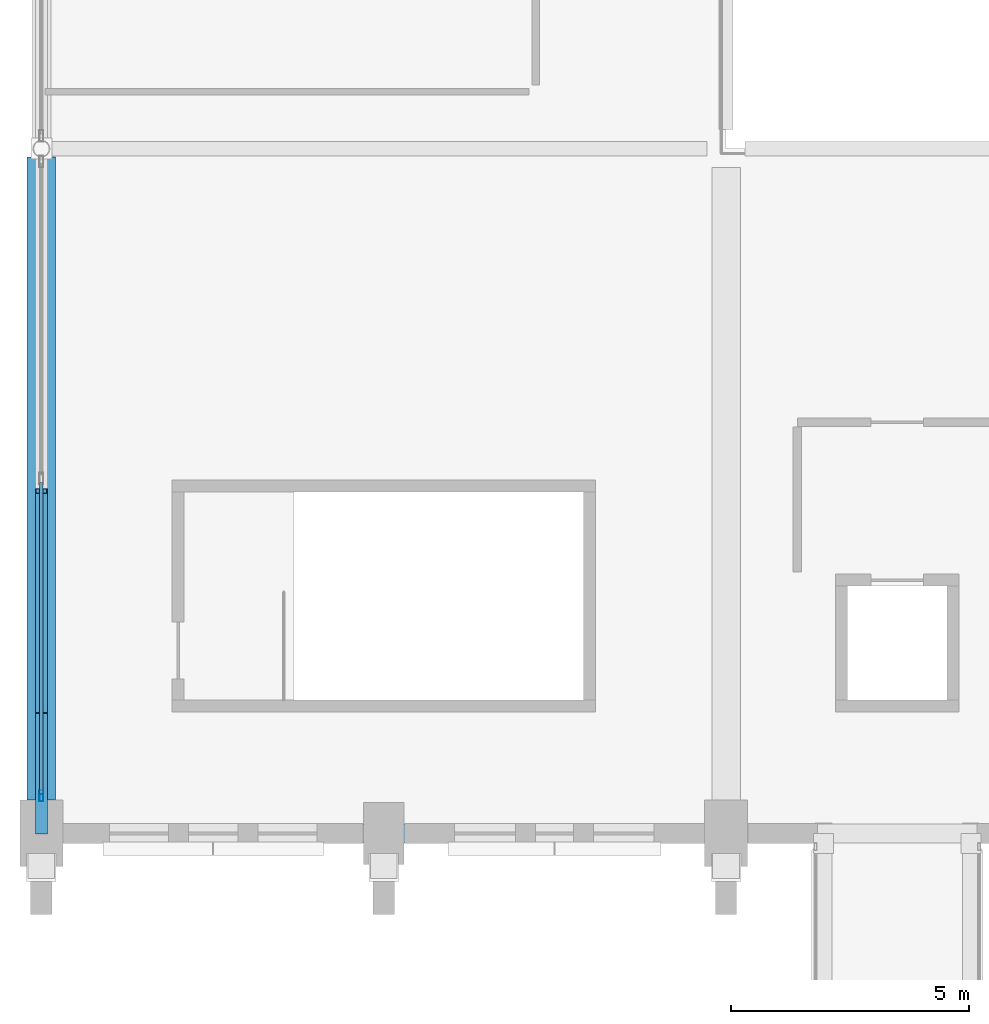
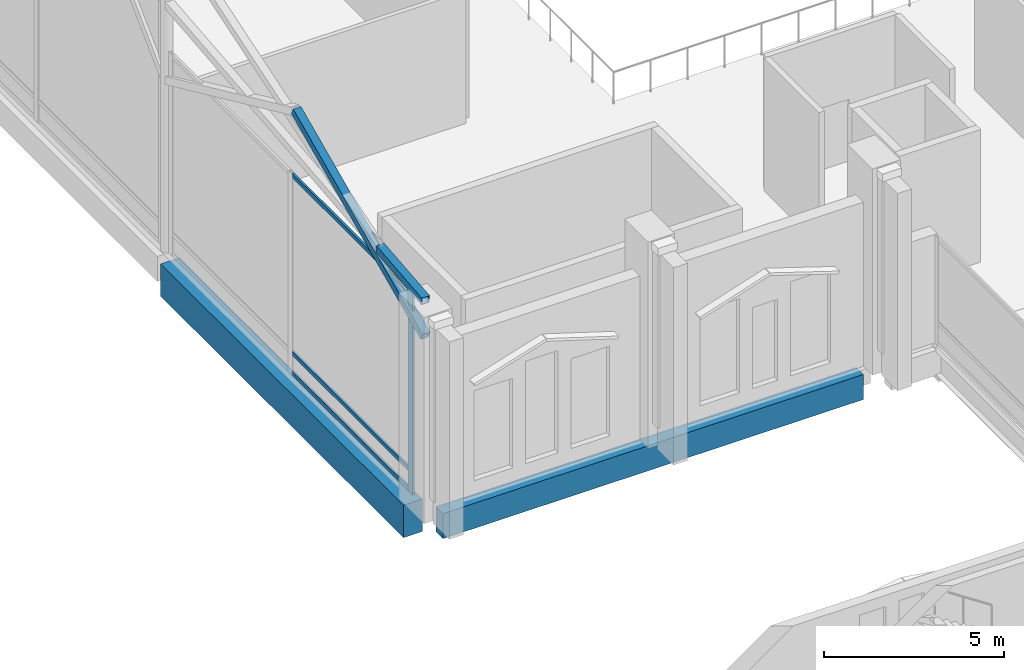
# One storey, part 30 of 220: 6 members, 2 beams, 1 element without a shape of its own.
"""IFC4 building model written with IfcOpenShell, lengths in metres."""

from ifc_helpers import new_model, si_unit, direction, frame, origin, origin_2d, place, context, subcontext, project, spatial, rectangle, hollow_rectangle, extrude, material, material_profile, profile_set, type_object, element, aggregate, save


model = new_model("IFC4")

# Units and contexts
model_context = context("Model", 3, precision=1e-05, world=origin(), true_north=direction((0.0, 1.0)))
body_context = subcontext(model_context, "Body", "Model", "MODEL_VIEW")
ifc_project = project(units=[si_unit("LENGTHUNIT", "METRE"), si_unit("AREAUNIT", "SQUARE_METRE"), si_unit("VOLUMEUNIT", "CUBIC_METRE"), si_unit("PLANEANGLEUNIT", "RADIAN"), si_unit("MASSUNIT", "GRAM", prefix="KILO")], contexts=[model_context])

# Site, building, storey
site_placement = place(None, origin())
site = spatial("IfcSite", under=ifc_project, at=site_placement, CompositionType="ELEMENT")
building_placement = place(site_placement, origin())
building = spatial("IfcBuilding", under=site, at=building_placement, Name="Cendralis Lancet Convention Centre", CompositionType="ELEMENT")
storey_placement = place(building_placement, frame((0.0, 0.0, 5.39990234375)))
storey = spatial("IfcBuildingStorey", under=building, at=storey_placement, Name="L01", CompositionType="ELEMENT", Elevation=5.39990234375)

# Curtain wall, members
ifc_material_1 = material(Name="Anodised bronze architectural aluminium", Category="aluminium")
curtain_wall_type = type_object("IfcCurtainWallType", Name="ARC-CW-GB02", PredefinedType="USERDEFINED", material=ifc_material_1)
curtain_wall_placement = place(storey_placement, origin())
curtain_wall = element("IfcCurtainWall", 1, at=curtain_wall_placement, inside=storey, type_object=curtain_wall_type, Name="L01 Curtain Wall CW-GB2 #099", ObjectType="CURTAIN WALL", PredefinedType="USERDEFINED")
ifc_material_profile_1 = material_profile(ifc_material_1, hollow_rectangle(XDim=0.080078125, YDim=0.239990234375, WallThickness=0.0048828125, at=origin_2d()), Name="AL-MULL 80x240x5.0")
ifc_profile_set_1 = profile_set([ifc_material_profile_1], Name="Anodised bronze architectural aluminium")
member_type_1 = type_object("IfcMemberType", Name="ARC-CW-ML03", PredefinedType="MULLION", material=ifc_profile_set_1)
member_1_placement = place(storey_placement, frame((0.0, 51.18994140625, 0.0), z_axis=(0.0, 0.0, 1.0), x_axis=(1.0, 0.0, 0.0)))
member_1 = element("IfcMember", 2, at=member_1_placement, type_object=member_type_1, Name="Mullion CW2-CW-GB2-L01-099-M0", PredefinedType="MULLION", context=body_context, shape_type="SweptSolid", body=[
    extrude(hollow_rectangle(XDim=0.080078125, YDim=0.239990234375, WallThickness=0.0048828125, at=origin_2d()), origin(), (0.0, 0.0, 1.0), 6.85009765625),
])
ifc_material_profile_2 = material_profile(ifc_material_1, hollow_rectangle(XDim=0.070068359375, YDim=0.139892578125, WallThickness=0.00390625, at=origin_2d()), Name="AL-TRAN 70x140x4.0")
ifc_profile_set_2 = profile_set([ifc_material_profile_2], Name="Anodised bronze architectural aluminium")
member_type_2 = type_object("IfcMemberType", Name="ARC-CW-TR02", PredefinedType="USERDEFINED", material=ifc_profile_set_2)
member_2_placement = place(storey_placement, frame((0.0, 51.22998046875, 0.070068359375), z_axis=(0.0, 1.0, 0.0), x_axis=(-1.0, 0.0, 0.0)))
member_2 = element("IfcMember", 3, at=member_2_placement, type_object=member_type_2, Name="Transom CW2-CW-GB2-L01-099-T0BOT", ObjectType="TRANSOM", PredefinedType="USERDEFINED", context=body_context, shape_type="SweptSolid", body=[
    extrude(hollow_rectangle(XDim=0.070068359375, YDim=0.139892578125, WallThickness=0.00390625, at=origin_2d()), origin(), (0.0, 0.0, 1.0), 6.551025390625),
])
member_3_placement = place(storey_placement, frame((0.0, 51.22998046875, 0.75), z_axis=(0.0, 1.0, 0.0), x_axis=(-1.0, 0.0, 0.0)))
member_3 = element("IfcMember", 4, at=member_3_placement, type_object=member_type_2, Name="Transom CW2-CW-GB2-L01-099-T0MID", ObjectType="TRANSOM", PredefinedType="USERDEFINED", context=body_context, shape_type="SweptSolid", body=[
    extrude(hollow_rectangle(XDim=0.070068359375, YDim=0.139892578125, WallThickness=0.00390625, at=origin_2d()), origin(), (0.0, 0.0, 1.0), 6.551025390625),
])
member_4_placement = place(storey_placement, frame((0.0, 51.22998046875, 6.780029296875), z_axis=(0.0, 1.0, 0.0), x_axis=(-1.0, 0.0, 0.0)))
member_4 = element("IfcMember", 5, at=member_4_placement, type_object=member_type_2, Name="Transom CW2-CW-GB2-L01-099-T0TOP", ObjectType="TRANSOM", PredefinedType="USERDEFINED", context=body_context, shape_type="SweptSolid", body=[
    extrude(hollow_rectangle(XDim=0.070068359375, YDim=0.139892578125, WallThickness=0.00390625, at=origin_2d()), origin(), (0.0, 0.0, 1.0), 6.551025390625),
])
aggregate(curtain_wall, [member_1, member_2, member_3, member_4])

# Beam
ifc_material_2 = material(Name="Concrete G40 (C40/50)", Category="concrete")
ifc_material_profile_3 = material_profile(ifc_material_2, rectangle(XDim=0.60009765625, YDim=1.10009765625, at=origin_2d()), Name="RCB 600x1100")
ifc_profile_set_3 = profile_set([ifc_material_profile_3], Name="Concrete G40 (C40/50)")
beam_type_1 = type_object("IfcBeamType", Name="STR-BM-BG02-EXT", PredefinedType="BEAM", material=ifc_profile_set_3)
beam_1_placement = place(storey_placement, frame((0.0, 51.10009765625, -0.829833984375), z_axis=(0.0, 1.0, 0.0), x_axis=(-1.0, 0.0, 0.0)))
element("IfcBeam", 6, at=beam_1_placement, inside=storey, type_object=beam_type_1, Name="L01 Beam BG02 #1214", PredefinedType="BEAM", context=body_context, shape_type="SweptSolid", body=[
    extrude(rectangle(XDim=0.60009765625, YDim=1.10009765625, at=origin_2d()), origin(), (0.0, 0.0, 1.0), 13.522216796875),
])

# Members
ifc_material_3 = material(Name="Steel S355", Category="steel")
ifc_material_profile_4 = material_profile(ifc_material_3, hollow_rectangle(XDim=0.25, YDim=0.25, WallThickness=0.012451171875, at=origin_2d()), Name="SHS 250x250x12.5")
ifc_profile_set_4 = profile_set([ifc_material_profile_4], Name="Steel S355")
member_type_3 = type_object("IfcMemberType", Name="STR-BR-GB01", PredefinedType="BRACE", material=ifc_profile_set_4)
member_5_placement = place(storey_placement, frame((0.0, 50.39990234375, 5.800048828125), z_axis=(0.0, 0.909358515773, 0.416013328862), x_axis=(-1.0, 0.0, 0.0)))
element("IfcMember", 7, at=member_5_placement, inside=storey, type_object=member_type_3, Name="Exhibition Gable Gothic Ogival Tracery Rib GBR1 #001", PredefinedType="BRACE", context=body_context, shape_type="SweptSolid", body=[
    extrude(hollow_rectangle(XDim=0.25, YDim=0.25, WallThickness=0.012451171875, at=origin_2d()), origin(), (0.0, 0.0, 1.0), 7.91796875),
])
member_6_placement = place(storey_placement, frame((0.0, 52.934326171875, 7.2509765625), z_axis=(0.0, -0.995132589409, -0.09854506328), x_axis=(1.0, 0.0, 0.0)))
element("IfcMember", 8, at=member_6_placement, inside=storey, type_object=member_type_3, Name="Exhibition Gable Split X-Brace Rib GBR1 #005", PredefinedType="BRACE", context=body_context, shape_type="SweptSolid", body=[
    extrude(hollow_rectangle(XDim=0.25, YDim=0.25, WallThickness=0.012451171875, at=origin_2d()), origin(), (0.0, 0.0, 1.0), 2.546875),
])

# Beam
ifc_material_profile_5 = material_profile(ifc_material_2, rectangle(XDim=0.39990234375, YDim=0.85009765625, at=origin_2d()), Name="RCB 400x850")
ifc_profile_set_5 = profile_set([ifc_material_profile_5], Name="Concrete G40 (C40/50)")
beam_type_2 = type_object("IfcBeamType", Name="STR-SP-SP02", PredefinedType="SPANDREL", material=ifc_profile_set_5)
beam_2_placement = place(storey_placement, frame((0.449951171875, 50.39990234375, -0.704833984375), z_axis=(1.0, 0.0, 0.0), x_axis=(0.0, 1.0, 0.0)))
element("IfcBeam", 9, at=beam_2_placement, inside=storey, type_object=beam_type_2, Name="L01 Beam SP02 #1192", PredefinedType="SPANDREL", context=body_context, shape_type="SweptSolid", body=[
    extrude(rectangle(XDim=0.39990234375, YDim=0.85009765625, at=origin_2d()), origin(), (0.0, 0.0, 1.0), 13.5),
])

save(model, "model.ifc")
